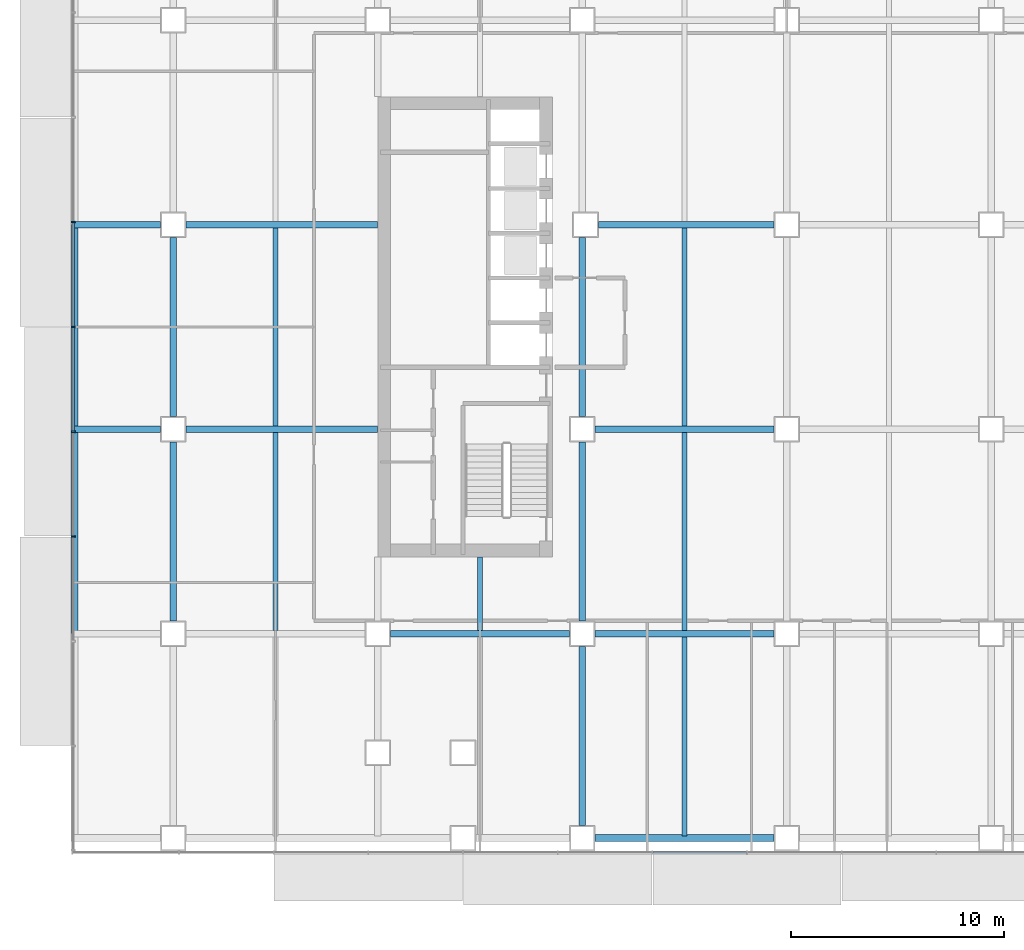
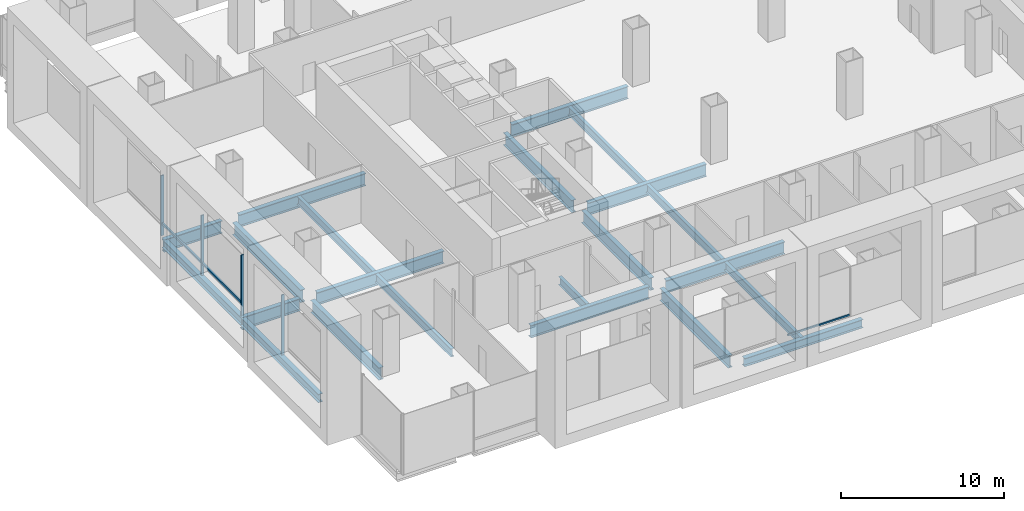
# One storey, part 3 of 23: 22 beams, 7 members, 2 elements without a shape of their own.
"""IFC4 building model written with IfcOpenShell, lengths in metres."""

from ifc_helpers import new_model, si_unit, direction, frame, origin, origin_2d, place, context, subcontext, project, spatial, rectangle, i_section, extrude, material, material_profile, profile_set, type_object, element, aggregate, save


model = new_model("IFC4")

# Units and contexts
model_context = context("Model", 3, precision=1e-05, world=origin(), true_north=direction((0.0, 1.0)))
body_context = subcontext(model_context, "Body", "Model", "MODEL_VIEW")
ifc_project = project(units=[si_unit("LENGTHUNIT", "METRE"), si_unit("AREAUNIT", "SQUARE_METRE"), si_unit("VOLUMEUNIT", "CUBIC_METRE"), si_unit("PLANEANGLEUNIT", "RADIAN"), si_unit("MASSUNIT", "GRAM", prefix="KILO")], contexts=[model_context])

# Site, building, storey
site_placement = place(None, origin())
site = spatial("IfcSite", under=ifc_project, at=site_placement, CompositionType="ELEMENT")
building_placement = place(site_placement, origin())
building = spatial("IfcBuilding", under=site, at=building_placement, Name="Cobrizo Arcos Hotel Tower", CompositionType="ELEMENT")
storey_placement = place(building_placement, frame((0.0, 0.0, 24.5)))
storey = spatial("IfcBuildingStorey", under=building, at=storey_placement, Name="L04", CompositionType="ELEMENT", Elevation=24.5)

# Curtain wall, member
ifc_material_1 = material(Name="Aluminium 6063-T6 anodised bronze", Category="aluminium")
curtain_wall_type_1 = type_object("IfcCurtainWallType", Name="CW-A guest facade", PredefinedType="NOTDEFINED", material=ifc_material_1)
curtain_wall_1_placement = place(storey_placement, origin())
curtain_wall_1 = element("IfcCurtainWall", 1, at=curtain_wall_1_placement, inside=storey, type_object=curtain_wall_type_1, Name="CW-A L04 S face", PredefinedType="NOTDEFINED")
ifc_material_profile_1 = material_profile(ifc_material_1, rectangle(XDim=0.10009765625, YDim=0.1201171875, at=origin_2d()), Name="CW-A transom 120x100")
ifc_profile_set_1 = profile_set([ifc_material_profile_1], Name="Aluminium 6063-T6 anodised bronze")
member_type_1 = type_object("IfcMemberType", Name="CW-A transom 120x100", PredefinedType="USERDEFINED", material=ifc_profile_set_1)
member_1_placement = place(storey_placement, frame((-11.0810546875, -24.675048828125, 0.929931640625), z_axis=(1.0, 0.0, 0.0), x_axis=(0.0, 1.0, 0.0)))
member_1 = element("IfcMember", 2, at=member_1_placement, type_object=member_type_1, Name="CW-A transom 258", ObjectType="TRANSOM", PredefinedType="USERDEFINED", context=body_context, shape_type="SweptSolid", body=[
    extrude(rectangle(XDim=0.10009765625, YDim=0.1201171875, at=origin_2d()), origin(), (0.0, 0.0, 1.0), 4.38427734375),
])
aggregate(curtain_wall_1, [member_1])

# Curtain wall, members
curtain_wall_type_2 = type_object("IfcCurtainWallType", Name="CW-B podium glazing", PredefinedType="NOTDEFINED", material=ifc_material_1)
curtain_wall_2_placement = place(storey_placement, origin())
curtain_wall_2 = element("IfcCurtainWall", 3, at=curtain_wall_2_placement, inside=storey, type_object=curtain_wall_type_2, Name="CW-B L04 W face", PredefinedType="NOTDEFINED")
ifc_material_profile_2 = material_profile(ifc_material_1, rectangle(XDim=0.199951171875, YDim=0.080078125, at=origin_2d()), Name="CW-B mullion 200x80")
ifc_profile_set_2 = profile_set([ifc_material_profile_2], Name="Aluminium 6063-T6 anodised bronze")
member_type_2 = type_object("IfcMemberType", Name="CW-B mullion 200x80", PredefinedType="MULLION", material=ifc_profile_set_2)
member_2_placement = place(storey_placement, frame((-38.300048828125, 4.919921875, 0.0), z_axis=(0.0, 0.0, 1.0), x_axis=(-1.0, 0.0, 0.0)))
member_2 = element("IfcMember", 4, at=member_2_placement, type_object=member_type_2, Name="CW-B mullion 5", PredefinedType="MULLION", context=body_context, shape_type="SweptSolid", body=[
    extrude(rectangle(XDim=0.199951171875, YDim=0.080078125, at=origin_2d()), origin(), (0.0, 0.0, 1.0), 4.5),
])
member_3_placement = place(storey_placement, frame((-38.300048828125, 0.0, 0.0), z_axis=(0.0, 0.0, 1.0), x_axis=(-1.0, 0.0, 0.0)))
member_3 = element("IfcMember", 5, at=member_3_placement, type_object=member_type_2, Name="CW-B mullion 6", PredefinedType="MULLION", context=body_context, shape_type="SweptSolid", body=[
    extrude(rectangle(XDim=0.199951171875, YDim=0.080078125, at=origin_2d()), origin(), (0.0, 0.0, 1.0), 4.5),
])
member_4_placement = place(storey_placement, frame((-38.300048828125, -4.919921875, 0.0), z_axis=(0.0, 0.0, 1.0), x_axis=(-1.0, 0.0, 0.0)))
member_4 = element("IfcMember", 6, at=member_4_placement, type_object=member_type_2, Name="CW-B mullion 7", PredefinedType="MULLION", context=body_context, shape_type="SweptSolid", body=[
    extrude(rectangle(XDim=0.199951171875, YDim=0.080078125, at=origin_2d()), origin(), (0.0, 0.0, 1.0), 4.5),
])
member_5_placement = place(storey_placement, frame((-38.300048828125, -9.840087890625, 0.0), z_axis=(0.0, 0.0, 1.0), x_axis=(-1.0, 0.0, 0.0)))
member_5 = element("IfcMember", 7, at=member_5_placement, type_object=member_type_2, Name="CW-B mullion 8", PredefinedType="MULLION", context=body_context, shape_type="SweptSolid", body=[
    extrude(rectangle(XDim=0.199951171875, YDim=0.080078125, at=origin_2d()), origin(), (0.0, 0.0, 1.0), 4.5),
])
ifc_material_profile_3 = material_profile(ifc_material_1, rectangle(XDim=0.1201171875, YDim=0.159912109375, at=origin_2d()), Name="CW-B transom 160x120")
ifc_profile_set_3 = profile_set([ifc_material_profile_3], Name="Aluminium 6063-T6 anodised bronze")
member_type_3 = type_object("IfcMemberType", Name="CW-B transom 160x120", PredefinedType="USERDEFINED", material=ifc_profile_set_3)
member_6_placement = place(storey_placement, frame((-38.300048828125, 4.8798828125, 0.89990234375), z_axis=(0.0, -1.0, 0.0), x_axis=(1.0, 0.0, 0.0)))
member_6 = element("IfcMember", 8, at=member_6_placement, type_object=member_type_3, Name="CW-B transom 246", ObjectType="TRANSOM", PredefinedType="USERDEFINED", context=body_context, shape_type="SweptSolid", body=[
    extrude(rectangle(XDim=0.1201171875, YDim=0.159912109375, at=origin_2d()), origin(), (0.0, 0.0, 1.0), 4.83984375),
])
member_7_placement = place(storey_placement, frame((-38.300048828125, -0.0400390625, 0.89990234375), z_axis=(0.0, -1.0, 0.0), x_axis=(1.0, 0.0, 0.0)))
member_7 = element("IfcMember", 9, at=member_7_placement, type_object=member_type_3, Name="CW-B transom 247", ObjectType="TRANSOM", PredefinedType="USERDEFINED", context=body_context, shape_type="SweptSolid", body=[
    extrude(rectangle(XDim=0.1201171875, YDim=0.159912109375, at=origin_2d()), origin(), (0.0, 0.0, 1.0), 4.83984375),
])
aggregate(curtain_wall_2, [member_2, member_3, member_4, member_5, member_6, member_7])

# Beams
ifc_material_2 = material(Name="Steel ASTM A992 Grade 50", Category="steel")
ifc_material_profile_4 = material_profile(ifc_material_2, i_section(OverallWidth=0.32763671875, OverallDepth=0.622314453125, WebThickness=0.015380859375, FlangeThickness=0.0244140625, at=origin_2d()), Name="W24X131")
ifc_profile_set_4 = profile_set([ifc_material_profile_4], Name="Steel ASTM A992 Grade 50")
beam_type_1 = type_object("IfcBeamType", Name="W24X131 edge beam", PredefinedType="BEAM", material=ifc_profile_set_4)
beam_1_placement = place(storey_placement, frame((-38.236083984375, 4.800048828125, -0.51123046875), z_axis=(0.0, -1.0, 0.0), x_axis=(1.0, 0.0, 0.0)))
element("IfcBeam", 10, at=beam_1_placement, inside=storey, type_object=beam_type_1, Name="Edge beam EB1, L04, no. 010", PredefinedType="BEAM", context=body_context, shape_type="SweptSolid", body=[
    extrude(i_section(OverallWidth=0.32763671875, OverallDepth=0.622314453125, WebThickness=0.015380859375, FlangeThickness=0.0244140625, at=origin_2d()), origin(), (0.0, 0.0, 1.0), 9.60009765625),
])
beam_2_placement = place(storey_placement, frame((-38.236083984375, -4.800048828125, -0.51123046875), z_axis=(0.0, -1.0, 0.0), x_axis=(1.0, 0.0, 0.0)))
element("IfcBeam", 11, at=beam_2_placement, inside=storey, type_object=beam_type_1, Name="Edge beam EB1, L04, no. 011", PredefinedType="BEAM", context=body_context, shape_type="SweptSolid", body=[
    extrude(i_section(OverallWidth=0.32763671875, OverallDepth=0.622314453125, WebThickness=0.015380859375, FlangeThickness=0.0244140625, at=origin_2d()), origin(), (0.0, 0.0, 1.0), 9.599853515625),
])
ifc_material_profile_5 = material_profile(ifc_material_2, i_section(OverallWidth=0.32763671875, OverallDepth=0.622314453125, WebThickness=0.015380859375, FlangeThickness=0.0244140625, at=origin_2d()), Name="W24X131")
ifc_profile_set_5 = profile_set([ifc_material_profile_5], Name="Steel ASTM A992 Grade 50")
beam_type_2 = type_object("IfcBeamType", Name="W24X131 spandrel", PredefinedType="SPANDREL", material=ifc_profile_set_5)
beam_3_placement = place(storey_placement, frame((-13.800048828125, -24.0, -0.51123046875), z_axis=(1.0, 0.0, 0.0), x_axis=(0.0, 1.0, 0.0)))
element("IfcBeam", 12, at=beam_3_placement, inside=storey, type_object=beam_type_2, Name="Spandrel beam W24X131, L04, no. 010", PredefinedType="SPANDREL", context=body_context, shape_type="SweptSolid", body=[
    extrude(i_section(OverallWidth=0.32763671875, OverallDepth=0.622314453125, WebThickness=0.015380859375, FlangeThickness=0.0244140625, at=origin_2d()), origin(), (0.0, 0.0, 1.0), 8.400146484375),
])
ifc_material_profile_6 = material_profile(ifc_material_2, i_section(OverallWidth=0.23046875, OverallDepth=0.6171875, WebThickness=0.01318359375, FlangeThickness=0.022216796875, at=origin_2d()), Name="W24X94")
ifc_profile_set_6 = profile_set([ifc_material_profile_6], Name="Steel ASTM A992 Grade 50")
beam_type_3 = type_object("IfcBeamType", Name="W24X94 podium joist", PredefinedType="JOIST", material=ifc_profile_set_6)
beam_4_placement = place(storey_placement, frame((-28.800048828125, -14.246337890625, -0.508544921875), z_axis=(0.0, 1.0, 0.0), x_axis=(-1.0, 0.0, 0.0)))
element("IfcBeam", 13, at=beam_4_placement, inside=storey, type_object=beam_type_3, Name="Podium joist PJ1, L04, no. 002", PredefinedType="JOIST", context=body_context, shape_type="SweptSolid", body=[
    extrude(i_section(OverallWidth=0.23046875, OverallDepth=0.6171875, WebThickness=0.01318359375, FlangeThickness=0.022216796875, at=origin_2d()), origin(), (0.0, 0.0, 1.0), 9.292724609375),
])
beam_5_placement = place(storey_placement, frame((-28.800048828125, -4.646240234375, -0.508544921875), z_axis=(0.0, 1.0, 0.0), x_axis=(-1.0, 0.0, 0.0)))
element("IfcBeam", 14, at=beam_5_placement, inside=storey, type_object=beam_type_3, Name="Podium joist PJ1, L04, no. 003", PredefinedType="JOIST", context=body_context, shape_type="SweptSolid", body=[
    extrude(i_section(OverallWidth=0.23046875, OverallDepth=0.6171875, WebThickness=0.01318359375, FlangeThickness=0.022216796875, at=origin_2d()), origin(), (0.0, 0.0, 1.0), 9.29248046875),
])
beam_6_placement = place(storey_placement, frame((-19.199951171875, -14.246337890625, -0.508544921875), z_axis=(0.0, 1.0, 0.0), x_axis=(-1.0, 0.0, 0.0)))
element("IfcBeam", 15, at=beam_6_placement, inside=storey, type_object=beam_type_3, Name="Podium joist PJ1, L04, no. 007", PredefinedType="JOIST", context=body_context, shape_type="SweptSolid", body=[
    extrude(i_section(OverallWidth=0.23046875, OverallDepth=0.6171875, WebThickness=0.01318359375, FlangeThickness=0.022216796875, at=origin_2d()), origin(), (0.0, 0.0, 1.0), 3.436279296875),
])
beam_7_placement = place(storey_placement, frame((-9.60009765625, -23.909912109375, -0.508544921875), z_axis=(0.0, 1.0, 0.0), x_axis=(-1.0, 0.0, 0.0)))
element("IfcBeam", 16, at=beam_7_placement, inside=storey, type_object=beam_type_3, Name="Podium joist PJ1, L04, no. 010", PredefinedType="JOIST", context=body_context, shape_type="SweptSolid", body=[
    extrude(i_section(OverallWidth=0.23046875, OverallDepth=0.6171875, WebThickness=0.01318359375, FlangeThickness=0.022216796875, at=origin_2d()), origin(), (0.0, 0.0, 1.0), 9.356201171875),
])
beam_8_placement = place(storey_placement, frame((-9.60009765625, -14.246337890625, -0.508544921875), z_axis=(0.0, 1.0, 0.0), x_axis=(-1.0, 0.0, 0.0)))
element("IfcBeam", 17, at=beam_8_placement, inside=storey, type_object=beam_type_3, Name="Podium joist PJ1, L04, no. 011", PredefinedType="JOIST", context=body_context, shape_type="SweptSolid", body=[
    extrude(i_section(OverallWidth=0.23046875, OverallDepth=0.6171875, WebThickness=0.01318359375, FlangeThickness=0.022216796875, at=origin_2d()), origin(), (0.0, 0.0, 1.0), 9.292724609375),
])
beam_9_placement = place(storey_placement, frame((-9.60009765625, -4.646240234375, -0.508544921875), z_axis=(0.0, 1.0, 0.0), x_axis=(-1.0, 0.0, 0.0)))
element("IfcBeam", 18, at=beam_9_placement, inside=storey, type_object=beam_type_3, Name="Podium joist PJ1, L04, no. 012", PredefinedType="JOIST", context=body_context, shape_type="SweptSolid", body=[
    extrude(i_section(OverallWidth=0.23046875, OverallDepth=0.6171875, WebThickness=0.01318359375, FlangeThickness=0.022216796875, at=origin_2d()), origin(), (0.0, 0.0, 1.0), 9.29248046875),
])
ifc_material_profile_7 = material_profile(ifc_material_2, i_section(OverallWidth=0.307373046875, OverallDepth=0.927001953125, WebThickness=0.01953125, FlangeThickness=0.031982421875, at=origin_2d()), Name="W36X194")
ifc_profile_set_7 = profile_set([ifc_material_profile_7], Name="Steel ASTM A992 Grade 50")
beam_type_4 = type_object("IfcBeamType", Name="W36X194 podium girder", PredefinedType="BEAM", material=ifc_profile_set_7)
beam_10_placement = place(storey_placement, frame((-23.39990234375, -14.39990234375, -0.66357421875), z_axis=(1.0, 0.0, 0.0), x_axis=(0.0, 1.0, 0.0)))
element("IfcBeam", 19, at=beam_10_placement, inside=storey, type_object=beam_type_4, Name="Podium girder PG1, L04, no. 003", PredefinedType="BEAM", context=body_context, shape_type="SweptSolid", body=[
    extrude(i_section(OverallWidth=0.307373046875, OverallDepth=0.927001953125, WebThickness=0.01953125, FlangeThickness=0.031982421875, at=origin_2d()), origin(), (0.0, 0.0, 1.0), 8.39990234375),
])
beam_11_placement = place(storey_placement, frame((-13.800048828125, -14.39990234375, -0.66357421875), z_axis=(1.0, 0.0, 0.0), x_axis=(0.0, 1.0, 0.0)))
element("IfcBeam", 20, at=beam_11_placement, inside=storey, type_object=beam_type_4, Name="Podium girder PG1, L04, no. 004", PredefinedType="BEAM", context=body_context, shape_type="SweptSolid", body=[
    extrude(i_section(OverallWidth=0.307373046875, OverallDepth=0.927001953125, WebThickness=0.01953125, FlangeThickness=0.031982421875, at=origin_2d()), origin(), (0.0, 0.0, 1.0), 8.400146484375),
])
beam_12_placement = place(storey_placement, frame((-38.31005859375, -4.800048828125, -0.66357421875), z_axis=(1.0, 0.0, 0.0), x_axis=(0.0, 1.0, 0.0)))
element("IfcBeam", 21, at=beam_12_placement, inside=storey, type_object=beam_type_4, Name="Podium girder PG1, L04, no. 010", PredefinedType="BEAM", context=body_context, shape_type="SweptSolid", body=[
    extrude(i_section(OverallWidth=0.307373046875, OverallDepth=0.927001953125, WebThickness=0.01953125, FlangeThickness=0.031982421875, at=origin_2d()), origin(), (0.0, 0.0, 1.0), 4.110107421875),
])
beam_13_placement = place(storey_placement, frame((-33.0, -4.800048828125, -0.66357421875), z_axis=(1.0, 0.0, 0.0), x_axis=(0.0, 1.0, 0.0)))
element("IfcBeam", 22, at=beam_13_placement, inside=storey, type_object=beam_type_4, Name="Podium girder PG1, L04, no. 011", PredefinedType="BEAM", context=body_context, shape_type="SweptSolid", body=[
    extrude(i_section(OverallWidth=0.307373046875, OverallDepth=0.927001953125, WebThickness=0.01953125, FlangeThickness=0.031982421875, at=origin_2d()), origin(), (0.0, 0.0, 1.0), 8.989990234375),
])
beam_14_placement = place(storey_placement, frame((-13.800048828125, -4.800048828125, -0.66357421875), z_axis=(1.0, 0.0, 0.0), x_axis=(0.0, 1.0, 0.0)))
element("IfcBeam", 23, at=beam_14_placement, inside=storey, type_object=beam_type_4, Name="Podium girder PG1, L04, no. 012", PredefinedType="BEAM", context=body_context, shape_type="SweptSolid", body=[
    extrude(i_section(OverallWidth=0.307373046875, OverallDepth=0.927001953125, WebThickness=0.01953125, FlangeThickness=0.031982421875, at=origin_2d()), origin(), (0.0, 0.0, 1.0), 8.400146484375),
])
beam_15_placement = place(storey_placement, frame((-38.31005859375, 4.800048828125, -0.66357421875), z_axis=(1.0, 0.0, 0.0), x_axis=(0.0, 1.0, 0.0)))
element("IfcBeam", 24, at=beam_15_placement, inside=storey, type_object=beam_type_4, Name="Podium girder PG1, L04, no. 018", PredefinedType="BEAM", context=body_context, shape_type="SweptSolid", body=[
    extrude(i_section(OverallWidth=0.307373046875, OverallDepth=0.927001953125, WebThickness=0.01953125, FlangeThickness=0.031982421875, at=origin_2d()), origin(), (0.0, 0.0, 1.0), 4.110107421875),
])
beam_16_placement = place(storey_placement, frame((-33.0, 4.800048828125, -0.66357421875), z_axis=(1.0, 0.0, 0.0), x_axis=(0.0, 1.0, 0.0)))
element("IfcBeam", 25, at=beam_16_placement, inside=storey, type_object=beam_type_4, Name="Podium girder PG1, L04, no. 019", PredefinedType="BEAM", context=body_context, shape_type="SweptSolid", body=[
    extrude(i_section(OverallWidth=0.307373046875, OverallDepth=0.927001953125, WebThickness=0.01953125, FlangeThickness=0.031982421875, at=origin_2d()), origin(), (0.0, 0.0, 1.0), 8.989990234375),
])
beam_17_placement = place(storey_placement, frame((-13.64990234375, 4.800048828125, -0.66357421875), z_axis=(1.0, 0.0, 0.0), x_axis=(0.0, 1.0, 0.0)))
element("IfcBeam", 26, at=beam_17_placement, inside=storey, type_object=beam_type_4, Name="Podium girder PG1, L04, no. 020", PredefinedType="BEAM", context=body_context, shape_type="SweptSolid", body=[
    extrude(i_section(OverallWidth=0.307373046875, OverallDepth=0.927001953125, WebThickness=0.01953125, FlangeThickness=0.031982421875, at=origin_2d()), origin(), (0.0, 0.0, 1.0), 8.25),
])
beam_18_placement = place(storey_placement, frame((-33.60009765625, -13.800048828125, -0.66357421875), z_axis=(0.0, 1.0, 0.0), x_axis=(-1.0, 0.0, 0.0)))
element("IfcBeam", 27, at=beam_18_placement, inside=storey, type_object=beam_type_4, Name="Podium girder PG1, L04, no. 036", PredefinedType="BEAM", context=body_context, shape_type="SweptSolid", body=[
    extrude(i_section(OverallWidth=0.307373046875, OverallDepth=0.927001953125, WebThickness=0.01953125, FlangeThickness=0.031982421875, at=origin_2d()), origin(), (0.0, 0.0, 1.0), 8.400146484375),
])
for number, where, z_axis, x_axis, name in (
    (28, (-33.60009765625, -4.199951171875, -0.66357421875), (0.0, 1.0, 0.0), (-1.0, 0.0, 0.0), "Podium girder PG1, L04, no. 037"),
    (29, (-14.39990234375, -23.39990234375, -0.66357421875), (0.0, 1.0, 0.0), (-1.0, 0.0, 0.0), "Podium girder PG1, L04, no. 046"),
):
    element("IfcBeam", number, at=place(storey_placement, frame(where, z_axis=z_axis, x_axis=x_axis)), inside=storey, type_object=beam_type_4, Name=name, PredefinedType="BEAM", context=body_context, shape_type="SweptSolid", body=[
        extrude(i_section(OverallWidth=0.307373046875, OverallDepth=0.927001953125, WebThickness=0.01953125, FlangeThickness=0.031982421875, at=origin_2d()), origin(), (0.0, 0.0, 1.0), 8.39990234375),
    ])
beam_19_placement = place(storey_placement, frame((-14.39990234375, -13.800048828125, -0.66357421875), z_axis=(0.0, 1.0, 0.0), x_axis=(-1.0, 0.0, 0.0)))
element("IfcBeam", 30, at=beam_19_placement, inside=storey, type_object=beam_type_4, Name="Podium girder PG1, L04, no. 047", PredefinedType="BEAM", context=body_context, shape_type="SweptSolid", body=[
    extrude(i_section(OverallWidth=0.307373046875, OverallDepth=0.927001953125, WebThickness=0.01953125, FlangeThickness=0.031982421875, at=origin_2d()), origin(), (0.0, 0.0, 1.0), 8.400146484375),
])
beam_20_placement = place(storey_placement, frame((-14.39990234375, -4.199951171875, -0.66357421875), z_axis=(0.0, 1.0, 0.0), x_axis=(-1.0, 0.0, 0.0)))
element("IfcBeam", 31, at=beam_20_placement, inside=storey, type_object=beam_type_4, Name="Podium girder PG1, L04, no. 048", PredefinedType="BEAM", context=body_context, shape_type="SweptSolid", body=[
    extrude(i_section(OverallWidth=0.307373046875, OverallDepth=0.927001953125, WebThickness=0.01953125, FlangeThickness=0.031982421875, at=origin_2d()), origin(), (0.0, 0.0, 1.0), 8.39990234375),
])

save(model, "model.ifc")
